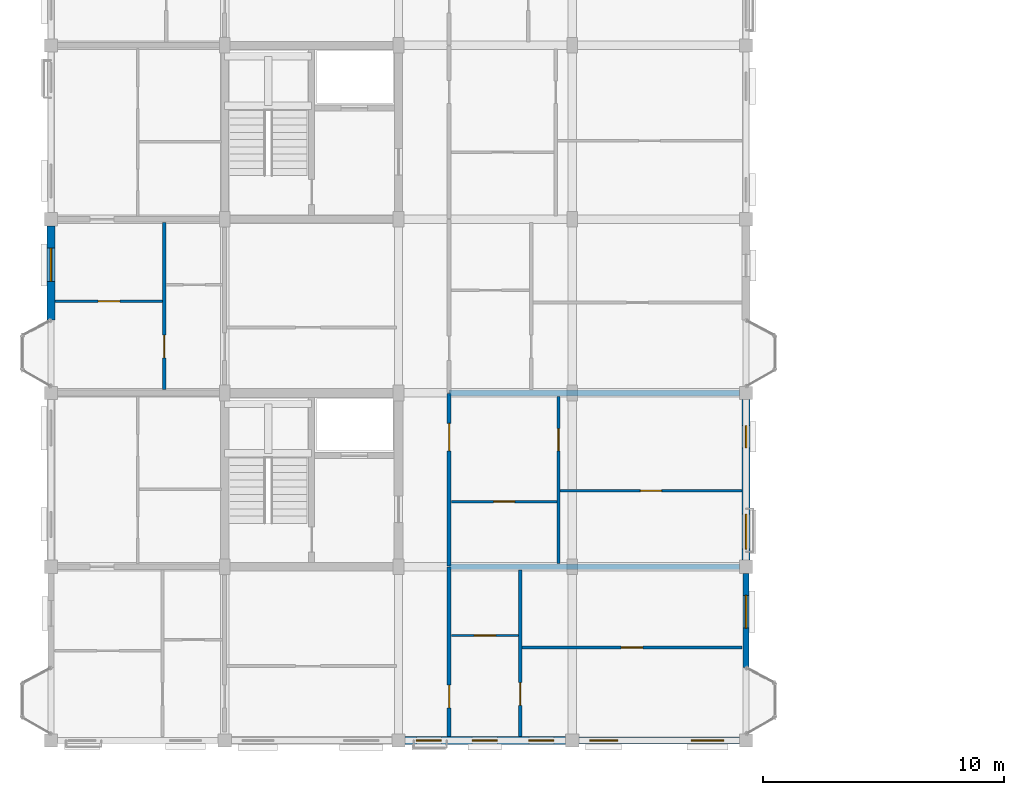
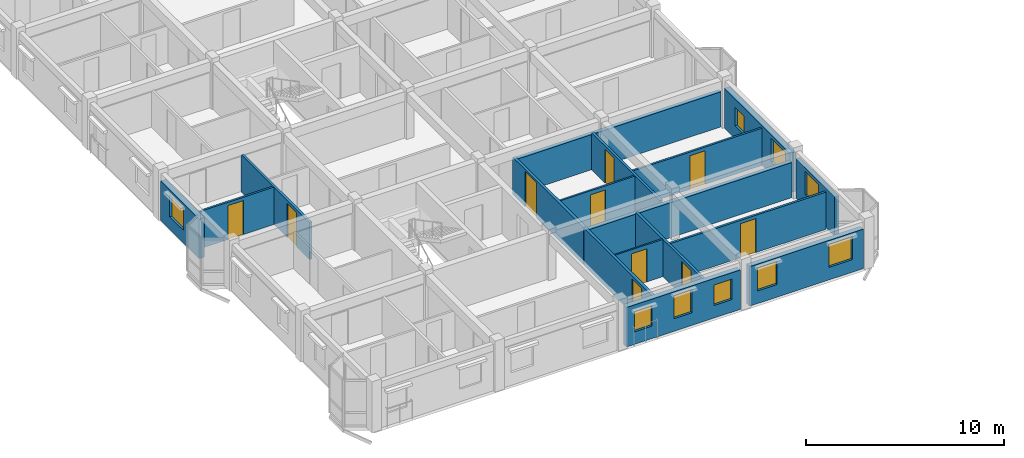
# One storey, part 46 of 75: 17 walls, 10 doors, 9 windows, 19 openings.
"""IFC4 building model written with IfcOpenShell, lengths in metres."""

from ifc_helpers import new_model, si_unit, direction, frame, frame_2d, origin, place, context, subcontext, project, spatial, rectangle, extrude, material, layer, layer_set, type_object, element, fill, save


model = new_model("IFC4")

# Units and contexts
model_context = context("Model", 3, precision=1e-05, world=origin(), true_north=direction((0.0, 1.0)))
body_context = subcontext(model_context, "Body", "Model", "MODEL_VIEW")
ifc_project = project(units=[si_unit("LENGTHUNIT", "METRE"), si_unit("AREAUNIT", "SQUARE_METRE"), si_unit("VOLUMEUNIT", "CUBIC_METRE"), si_unit("PLANEANGLEUNIT", "RADIAN"), si_unit("MASSUNIT", "GRAM", prefix="KILO"), si_unit("THERMODYNAMICTEMPERATUREUNIT", "KELVIN"), si_unit("POWERUNIT", "WATT")], contexts=[model_context])

# Site, building, storey
site_placement = place(None, origin())
site = spatial("IfcSite", under=ifc_project, at=site_placement, CompositionType="ELEMENT")
building_placement = place(site_placement, origin())
building = spatial("IfcBuilding", under=site, at=building_placement, Name="Tavuni Mirador Residences", CompositionType="ELEMENT")
storey_placement = place(building_placement, frame((0.0, 0.0, 20.25)))
storey = spatial("IfcBuildingStorey", under=building, at=storey_placement, Name="L06", CompositionType="ELEMENT", Elevation=20.25)

# Wall, opening, door
ifc_material_1 = material(Name="Precast concrete C40/50", Category="concrete")
ifc_layer_1 = layer(ifc_material_1, 0.1650390625, Name="Precast concrete C40/50", Category="concrete")
ifc_layer_set_1 = layer_set([ifc_layer_1], Name="Precast concrete C40/50")
wall_type_1 = type_object("IfcWallType", Name="WT-CORR165", PredefinedType="PARTITIONING", material=ifc_layer_set_1)
wall_1_placement = place(storey_placement, frame((20.10009765625, 7.375, 0.0), z_axis=(0.0, 0.0, 1.0), x_axis=(0.0, 1.0, 0.0)))
wall_1 = element("IfcWall", 1, at=wall_1_placement, inside=storey, type_object=wall_type_1, Name="CORW-BLK-A-L06-0-00", PredefinedType="PARTITIONING", context=body_context, shape_type="SweptSolid", body=[
    extrude(rectangle(XDim=7.0048828125, YDim=0.1650390625, at=frame_2d((3.50244140625, 0.0))), origin(), (0.0, 0.0, 1.0), 2.304931640625),
])
opening_1_placement = place(wall_1_placement, frame((1.175048828125, 0.0, 0.0)))
opening_1 = element("IfcOpeningElement", 2, at=opening_1_placement, cuts=wall_1, Name="Opening D-19", PredefinedType="OPENING", context=body_context, shape_type="SweptSolid", body=[
    extrude(rectangle(XDim=0.93994140625, YDim=2.1201171875, at=frame_2d((0.469970703125, 1.06005859375))), frame((0.0, 0.092529296875, 0.0), z_axis=(0.0, -1.0, 0.0), x_axis=(1.0, 0.0, 0.0)), (0.0, 0.0, 1.0), 0.18505859375),
])
ifc_material_2 = material(Name="Solid core iroko timber", Category="wood")
door_type_1 = type_object("IfcDoorType", Name="DT-FD60-940", OperationType="NOTDEFINED", PredefinedType="DOOR", material=ifc_material_2)
door_1_placement = place(opening_1_placement, origin())
door_1 = element("IfcDoor", 3, at=door_1_placement, inside=storey, type_object=door_type_1, Name="DR-2443", OperationType="SINGLE_SWING_RIGHT", OverallHeight=2.1201171875, OverallWidth=0.93994140625, PredefinedType="DOOR", context=body_context, shape_type="SweptSolid", body=[
    extrude(rectangle(XDim=0.93994140625, YDim=2.1201171875, at=frame_2d((0.469970703125, 1.06005859375))), frame((0.0, 0.02490234375, 0.0), z_axis=(0.0, -1.0, 0.0), x_axis=(1.0, 0.0, 0.0)), (0.0, 0.0, 1.0), 0.050048828125),
])
fill(opening_1, door_1)

wall_2_placement = place(storey_placement, frame((20.10009765625, 14.419921875, 0.0), z_axis=(0.0, 0.0, 1.0), x_axis=(0.0, 1.0, 0.0)))
wall_2 = element("IfcWall", 4, at=wall_2_placement, inside=storey, type_object=wall_type_1, Name="CORW-BLK-A-L06-0-01", PredefinedType="PARTITIONING", context=body_context, shape_type="SweptSolid", body=[
    extrude(rectangle(XDim=7.16015625, YDim=0.1650390625, at=frame_2d((3.580078125, 0.0))), origin(), (0.0, 0.0, 1.0), 2.304931640625),
])
opening_2_placement = place(wall_2_placement, frame((4.780029296875, 0.0, 0.0)))
opening_2 = element("IfcOpeningElement", 5, at=opening_2_placement, cuts=wall_2, Name="Opening D-20", PredefinedType="OPENING", context=body_context, shape_type="SweptSolid", body=[
    extrude(rectangle(XDim=1.139892578125, YDim=2.179931640625, at=frame_2d((0.56982421875, 1.08984375))), frame((0.0, 0.092529296875, 0.0), z_axis=(0.0, -1.0, 0.0), x_axis=(1.0, 0.0, 0.0)), (0.0, 0.0, 1.0), 0.18505859375),
])
door_type_2 = type_object("IfcDoorType", Name="DT-FD60-1140", OperationType="NOTDEFINED", PredefinedType="DOOR", material=ifc_material_2)
door_2_placement = place(opening_2_placement, origin())
door_2 = element("IfcDoor", 6, at=door_2_placement, inside=storey, type_object=door_type_2, Name="DR-2444", OperationType="SINGLE_SWING_LEFT", OverallHeight=2.179931640625, OverallWidth=1.139892578125, PredefinedType="DOOR", context=body_context, shape_type="SweptSolid", body=[
    extrude(rectangle(XDim=1.139892578125, YDim=2.179931640625, at=frame_2d((0.56982421875, 1.08984375))), frame((0.0, 0.02490234375, 0.0), z_axis=(0.0, -1.0, 0.0), x_axis=(1.0, 0.0, 0.0)), (0.0, 0.0, 1.0), 0.050048828125),
])
fill(opening_2, door_2)

# Wall, openings, windows
ifc_layer_2 = layer(ifc_material_1, 0.330078125, Name="Precast concrete C40/50", Category="concrete")
ifc_layer_set_2 = layer_set([ifc_layer_2], Name="Precast concrete C40/50")
wall_type_2 = type_object("IfcWallType", Name="WT-EXT-COR330", PredefinedType="SOLIDWALL", material=ifc_layer_set_2)
wall_3_placement = place(storey_placement, frame((32.39990234375, 14.675048828125, 0.0), z_axis=(0.0, 0.0, 1.0), x_axis=(0.0, 1.0, 0.0)))
wall_3 = element("IfcWall", 7, at=wall_3_placement, inside=storey, type_object=wall_type_2, Name="EW-BLK-A-L06-E01", PredefinedType="SOLIDWALL", context=body_context, shape_type="SweptSolid", body=[
    extrude(rectangle(XDim=6.64990234375, YDim=0.330078125, at=frame_2d((3.324951171875, 0.0))), origin(), (0.0, 0.0, 1.0), 2.43994140625),
])
opening_3_placement = place(wall_3_placement, frame((0.449951171875, 0.0, 0.780029296875)))
opening_3 = element("IfcOpeningElement", 8, at=opening_3_placement, cuts=wall_3, Name="Opening WN-30", PredefinedType="OPENING", context=body_context, shape_type="SweptSolid", body=[
    extrude(rectangle(XDim=1.449951171875, YDim=1.43994140625, at=frame_2d((0.72509765625, 0.719970703125))), frame((0.0, 0.175048828125, 0.0), z_axis=(0.0, -1.0, 0.0), x_axis=(1.0, 0.0, 0.0)), (0.0, 0.0, 1.0), 0.35009765625),
])
opening_4_placement = place(wall_3_placement, frame((4.64990234375, 0.0, 0.780029296875)))
opening_4 = element("IfcOpeningElement", 9, at=opening_4_placement, cuts=wall_3, Name="Opening WN-02", PredefinedType="OPENING", context=body_context, shape_type="SweptSolid", body=[
    extrude(rectangle(XDim=0.919921875, YDim=1.14990234375, at=frame_2d((0.4599609375, 0.574951171875))), frame((0.0, 0.175048828125, 0.0), z_axis=(0.0, -1.0, 0.0), x_axis=(1.0, 0.0, 0.0)), (0.0, 0.0, 1.0), 0.35009765625),
])
ifc_material_3 = material(Name="Laminated solar-control glass", Category="glass")
window_type_1 = type_object("IfcWindowType", Name="WNT-02", PartitioningType="SINGLE_PANEL", PredefinedType="WINDOW", material=ifc_material_3)
window_1_placement = place(opening_4_placement, origin())
window_1 = element("IfcWindow", 10, at=window_1_placement, inside=storey, type_object=window_type_1, Name="WIN-0234", OverallHeight=1.14990234375, OverallWidth=0.919921875, PartitioningType="SINGLE_PANEL", PredefinedType="WINDOW", context=body_context, shape_type="SweptSolid", body=[
    extrude(rectangle(XDim=0.919921875, YDim=1.14990234375, at=frame_2d((0.4599609375, 0.574951171875))), frame((0.0, 0.030029296875, 0.0), z_axis=(0.0, -1.0, 0.0), x_axis=(1.0, 0.0, 0.0)), (0.0, 0.0, 1.0), 0.06005859375),
])
fill(opening_4, window_1)
window_type_2 = type_object("IfcWindowType", Name="WNT-30", PartitioningType="SINGLE_PANEL", PredefinedType="WINDOW", material=ifc_material_3)
window_2_placement = place(opening_3_placement, origin())
window_2 = element("IfcWindow", 11, at=window_2_placement, inside=storey, type_object=window_type_2, Name="WIN-0233", OverallHeight=1.43994140625, OverallWidth=1.449951171875, PartitioningType="SINGLE_PANEL", PredefinedType="WINDOW", context=body_context, shape_type="SweptSolid", body=[
    extrude(rectangle(XDim=1.449951171875, YDim=1.43994140625, at=frame_2d((0.72509765625, 0.719970703125))), frame((0.0, 0.030029296875, 0.0), z_axis=(0.0, -1.0, 0.0), x_axis=(1.0, 0.0, 0.0)), (0.0, 0.0, 1.0), 0.06005859375),
])
fill(opening_3, window_2)

# Wall, opening, window
ifc_material_4 = material(Name="Sgraffito lime-rendered precast concrete C40/50", Category="concrete")
ifc_layer_3 = layer(ifc_material_4, 0.2451171875, Name="Sgraffito lime-rendered precast concrete C40/50", Category="concrete")
ifc_layer_set_3 = layer_set([ifc_layer_3], Name="Sgraffito lime-rendered precast concrete C40/50")
wall_type_3 = type_object("IfcWallType", Name="WT-EXT-PC245", PredefinedType="SOLIDWALL", material=ifc_layer_set_3)
wall_4_placement = place(storey_placement, frame((32.39990234375, 10.219970703125, 0.0), z_axis=(0.0, 0.0, 1.0), x_axis=(0.0, 1.0, 0.0)))
wall_4 = element("IfcWall", 12, at=wall_4_placement, inside=storey, type_object=wall_type_3, Name="EW-BLK-A-L06-E00", PredefinedType="SOLIDWALL", context=body_context, shape_type="SweptSolid", body=[
    extrude(rectangle(XDim=3.905029296875, YDim=0.2451171875, at=frame_2d((1.95263671875, 0.0))), origin(), (0.0, 0.0, 1.0), 2.43994140625),
])
opening_5_placement = place(wall_4_placement, frame((1.637451171875, 0.0, 0.780029296875)))
opening_5 = element("IfcOpeningElement", 13, at=opening_5_placement, cuts=wall_4, Name="Opening WN-29", PredefinedType="OPENING", context=body_context, shape_type="SweptSolid", body=[
    extrude(rectangle(XDim=1.35009765625, YDim=1.43994140625, at=frame_2d((0.675048828125, 0.719970703125))), frame((0.0, 0.132568359375, 0.0), z_axis=(0.0, -1.0, 0.0), x_axis=(1.0, 0.0, 0.0)), (0.0, 0.0, 1.0), 0.26513671875),
])
window_type_3 = type_object("IfcWindowType", Name="WNT-29", PartitioningType="SINGLE_PANEL", PredefinedType="WINDOW", material=ifc_material_3)
window_3_placement = place(opening_5_placement, origin())
window_3 = element("IfcWindow", 14, at=window_3_placement, inside=storey, type_object=window_type_3, Name="WIN-0232", OverallHeight=1.43994140625, OverallWidth=1.35009765625, PartitioningType="SINGLE_PANEL", PredefinedType="WINDOW", context=body_context, shape_type="SweptSolid", body=[
    extrude(rectangle(XDim=1.35009765625, YDim=1.43994140625, at=frame_2d((0.675048828125, 0.719970703125))), frame((0.0, 0.030029296875, 0.0), z_axis=(0.0, -1.0, 0.0), x_axis=(1.0, 0.0, 0.0)), (0.0, 0.0, 1.0), 0.06005859375),
])
fill(opening_5, window_3)

# Wall, openings, windows
ifc_layer_4 = layer(ifc_material_4, 0.304931640625, Name="Sgraffito lime-rendered precast concrete C40/50", Category="concrete")
ifc_layer_set_4 = layer_set([ifc_layer_4], Name="Sgraffito lime-rendered precast concrete C40/50")
wall_type_4 = type_object("IfcWallType", Name="WT-EXT-PC305", PredefinedType="SOLIDWALL", material=ifc_layer_set_4)
wall_5_placement = place(storey_placement, frame((25.47509765625, 7.199951171875, 0.0), z_axis=(0.0, 0.0, 1.0), x_axis=(1.0, 0.0, 0.0)))
wall_5 = element("IfcWall", 15, at=wall_5_placement, inside=storey, type_object=wall_type_4, Name="EW-BLK-A-L06-S03", PredefinedType="SOLIDWALL", context=body_context, shape_type="SweptSolid", body=[
    extrude(rectangle(XDim=6.64990234375, YDim=0.304931640625, at=frame_2d((3.324951171875, 0.0))), origin(), (0.0, 0.0, 1.0), 2.43994140625),
])
opening_6_placement = place(wall_5_placement, frame((0.449951171875, 0.0, 0.780029296875)))
opening_6 = element("IfcOpeningElement", 16, at=opening_6_placement, cuts=wall_5, Name="Opening WN-27", PredefinedType="OPENING", context=body_context, shape_type="SweptSolid", body=[
    extrude(rectangle(XDim=1.14990234375, YDim=1.43994140625, at=frame_2d((0.574951171875, 0.719970703125))), frame((0.0, 0.16259765625, 0.0), z_axis=(0.0, -1.0, 0.0), x_axis=(1.0, 0.0, 0.0)), (0.0, 0.0, 1.0), 0.324951171875),
])
opening_7_placement = place(wall_5_placement, frame((4.64990234375, 0.0, 0.780029296875)))
opening_7 = element("IfcOpeningElement", 17, at=opening_7_placement, cuts=wall_5, Name="Opening WN-29", PredefinedType="OPENING", context=body_context, shape_type="SweptSolid", body=[
    extrude(rectangle(XDim=1.35009765625, YDim=1.43994140625, at=frame_2d((0.675048828125, 0.719970703125))), frame((0.0, 0.16259765625, 0.0), z_axis=(0.0, -1.0, 0.0), x_axis=(1.0, 0.0, 0.0)), (0.0, 0.0, 1.0), 0.324951171875),
])
window_type_4 = type_object("IfcWindowType", Name="WNT-27", PartitioningType="SINGLE_PANEL", PredefinedType="WINDOW", material=ifc_material_3)
window_4_placement = place(opening_6_placement, origin())
window_4 = element("IfcWindow", 18, at=window_4_placement, inside=storey, type_object=window_type_4, Name="WIN-0230", OverallHeight=1.43994140625, OverallWidth=1.14990234375, PartitioningType="SINGLE_PANEL", PredefinedType="WINDOW", context=body_context, shape_type="SweptSolid", body=[
    extrude(rectangle(XDim=1.14990234375, YDim=1.43994140625, at=frame_2d((0.574951171875, 0.719970703125))), frame((0.0, 0.030029296875, 0.0), z_axis=(0.0, -1.0, 0.0), x_axis=(1.0, 0.0, 0.0)), (0.0, 0.0, 1.0), 0.06005859375),
])
fill(opening_6, window_4)
window_5_placement = place(opening_7_placement, origin())
window_5 = element("IfcWindow", 19, at=window_5_placement, inside=storey, type_object=window_type_3, Name="WIN-0231", OverallHeight=1.43994140625, OverallWidth=1.35009765625, PartitioningType="SINGLE_PANEL", PredefinedType="WINDOW", context=body_context, shape_type="SweptSolid", body=[
    extrude(rectangle(XDim=1.35009765625, YDim=1.43994140625, at=frame_2d((0.675048828125, 0.719970703125))), frame((0.0, 0.030029296875, 0.0), z_axis=(0.0, -1.0, 0.0), x_axis=(1.0, 0.0, 0.0)), (0.0, 0.0, 1.0), 0.06005859375),
])
fill(opening_7, window_5)

ifc_layer_5 = layer(ifc_material_4, 0.31494140625, Name="Sgraffito lime-rendered precast concrete C40/50", Category="concrete")
ifc_layer_set_5 = layer_set([ifc_layer_5], Name="Sgraffito lime-rendered precast concrete C40/50")
wall_type_5 = type_object("IfcWallType", Name="WT-EXT-PC315", PredefinedType="SOLIDWALL", material=ifc_layer_set_5)
wall_6_placement = place(storey_placement, frame((18.27490234375, 7.199951171875, 0.0), z_axis=(0.0, 0.0, 1.0), x_axis=(1.0, 0.0, 0.0)))
wall_6 = element("IfcWall", 20, at=wall_6_placement, inside=storey, type_object=wall_type_5, Name="EW-BLK-A-L06-S02", PredefinedType="SOLIDWALL", context=body_context, shape_type="SweptSolid", body=[
    extrude(rectangle(XDim=6.650146484375, YDim=0.31494140625, at=frame_2d((3.3251953125, 0.0))), origin(), (0.0, 0.0, 1.0), 2.43994140625),
])
opening_8_placement = place(wall_6_placement, frame((0.46240234375, 0.0, 0.780029296875)))
opening_8 = element("IfcOpeningElement", 21, at=opening_8_placement, cuts=wall_6, Name="Opening WN-11", PredefinedType="OPENING", context=body_context, shape_type="SweptSolid", body=[
    extrude(rectangle(XDim=1.0400390625, YDim=1.260009765625, at=frame_2d((0.52001953125, 0.6298828125))), frame((0.0, 0.16748046875, 0.0), z_axis=(0.0, -1.0, 0.0), x_axis=(1.0, 0.0, 0.0)), (0.0, 0.0, 1.0), 0.3349609375),
])
opening_9_placement = place(wall_6_placement, frame((2.77490234375, 0.0, 0.780029296875)))
opening_9 = element("IfcOpeningElement", 22, at=opening_9_placement, cuts=wall_6, Name="Opening WN-26", PredefinedType="OPENING", context=body_context, shape_type="SweptSolid", body=[
    extrude(rectangle(XDim=1.050048828125, YDim=1.43994140625, at=frame_2d((0.52490234375, 0.719970703125))), frame((0.0, 0.16748046875, 0.0), z_axis=(0.0, -1.0, 0.0), x_axis=(1.0, 0.0, 0.0)), (0.0, 0.0, 1.0), 0.3349609375),
])
opening_10_placement = place(wall_6_placement, frame((5.12255859375, 0.0, 0.780029296875)))
opening_10 = element("IfcOpeningElement", 23, at=opening_10_placement, cuts=wall_6, Name="Opening WN-11", PredefinedType="OPENING", context=body_context, shape_type="SweptSolid", body=[
    extrude(rectangle(XDim=1.0400390625, YDim=1.260009765625, at=frame_2d((0.52001953125, 0.6298828125))), frame((0.0, 0.16748046875, 0.0), z_axis=(0.0, -1.0, 0.0), x_axis=(1.0, 0.0, 0.0)), (0.0, 0.0, 1.0), 0.3349609375),
])
window_type_5 = type_object("IfcWindowType", Name="WNT-11", PartitioningType="SINGLE_PANEL", PredefinedType="WINDOW", material=ifc_material_3)
window_6_placement = place(opening_8_placement, origin())
window_6 = element("IfcWindow", 24, at=window_6_placement, inside=storey, type_object=window_type_5, Name="WIN-0227", OverallHeight=1.260009765625, OverallWidth=1.0400390625, PartitioningType="SINGLE_PANEL", PredefinedType="WINDOW", context=body_context, shape_type="SweptSolid", body=[
    extrude(rectangle(XDim=1.0400390625, YDim=1.260009765625, at=frame_2d((0.52001953125, 0.6298828125))), frame((0.0, 0.030029296875, 0.0), z_axis=(0.0, -1.0, 0.0), x_axis=(1.0, 0.0, 0.0)), (0.0, 0.0, 1.0), 0.06005859375),
])
fill(opening_8, window_6)
window_7_placement = place(opening_10_placement, origin())
window_7 = element("IfcWindow", 25, at=window_7_placement, inside=storey, type_object=window_type_5, Name="WIN-0229", OverallHeight=1.260009765625, OverallWidth=1.0400390625, PartitioningType="SINGLE_PANEL", PredefinedType="WINDOW", context=body_context, shape_type="SweptSolid", body=[
    extrude(rectangle(XDim=1.0400390625, YDim=1.260009765625, at=frame_2d((0.52001953125, 0.6298828125))), frame((0.0, 0.030029296875, 0.0), z_axis=(0.0, -1.0, 0.0), x_axis=(1.0, 0.0, 0.0)), (0.0, 0.0, 1.0), 0.06005859375),
])
fill(opening_10, window_7)
window_type_6 = type_object("IfcWindowType", Name="WNT-26", PartitioningType="SINGLE_PANEL", PredefinedType="WINDOW", material=ifc_material_3)
window_8_placement = place(opening_9_placement, origin())
window_8 = element("IfcWindow", 26, at=window_8_placement, inside=storey, type_object=window_type_6, Name="WIN-0228", OverallHeight=1.43994140625, OverallWidth=1.050048828125, PartitioningType="SINGLE_PANEL", PredefinedType="WINDOW", context=body_context, shape_type="SweptSolid", body=[
    extrude(rectangle(XDim=1.050048828125, YDim=1.43994140625, at=frame_2d((0.52490234375, 0.719970703125))), frame((0.0, 0.030029296875, 0.0), z_axis=(0.0, -1.0, 0.0), x_axis=(1.0, 0.0, 0.0)), (0.0, 0.0, 1.0), 0.06005859375),
])
fill(opening_9, window_8)

# Wall, opening, window
wall_7_placement = place(storey_placement, frame((3.60009765625, 28.52490234375, 0.0), z_axis=(0.0, 0.0, 1.0), x_axis=(0.0, -1.0, 0.0)))
wall_7 = element("IfcWall", 27, at=wall_7_placement, inside=storey, type_object=wall_type_5, Name="EW-BLK-A-L06-W02", PredefinedType="SOLIDWALL", context=body_context, shape_type="SweptSolid", body=[
    extrude(rectangle(XDim=3.90478515625, YDim=0.31494140625, at=frame_2d((1.952392578125, 0.0))), origin(), (0.0, 0.0, 1.0), 2.43994140625),
])
opening_11_placement = place(wall_7_placement, frame((0.927490234375, 0.0, 0.780029296875)))
opening_11 = element("IfcOpeningElement", 28, at=opening_11_placement, cuts=wall_7, Name="Opening WN-23", PredefinedType="OPENING", context=body_context, shape_type="SweptSolid", body=[
    extrude(rectangle(XDim=1.3798828125, YDim=1.360107421875, at=frame_2d((0.68994140625, 0.68017578125))), frame((0.0, 0.16748046875, 0.0), z_axis=(0.0, -1.0, 0.0), x_axis=(1.0, 0.0, 0.0)), (0.0, 0.0, 1.0), 0.3349609375),
])
window_type_7 = type_object("IfcWindowType", Name="WNT-23", PartitioningType="SINGLE_PANEL", PredefinedType="WINDOW", material=ifc_material_3)
window_9_placement = place(opening_11_placement, origin())
window_9 = element("IfcWindow", 29, at=window_9_placement, inside=storey, type_object=window_type_7, Name="WIN-0256", OverallHeight=1.360107421875, OverallWidth=1.3798828125, PartitioningType="SINGLE_PANEL", PredefinedType="WINDOW", context=body_context, shape_type="SweptSolid", body=[
    extrude(rectangle(XDim=1.3798828125, YDim=1.360107421875, at=frame_2d((0.68994140625, 0.68017578125))), frame((0.0, 0.030029296875, 0.0), z_axis=(0.0, -1.0, 0.0), x_axis=(1.0, 0.0, 0.0)), (0.0, 0.0, 1.0), 0.06005859375),
])
fill(opening_11, window_9)

# Wall, opening, door
ifc_material_5 = material(Name="Acoustic gypsum and concrete block partition", Category="concrete")
ifc_layer_6 = layer(ifc_material_5, 0.094970703125, Name="Acoustic gypsum and concrete block partition", Category="concrete")
ifc_layer_set_6 = layer_set([ifc_layer_6], Name="Acoustic gypsum and concrete block partition")
wall_type_6 = type_object("IfcWallType", Name="WT-PART095", PredefinedType="PARTITIONING", material=ifc_layer_set_6)
wall_8_placement = place(storey_placement, frame((20.18994140625, 11.550048828125, 0.0), z_axis=(0.0, 0.0, 1.0), x_axis=(1.0, 0.0, 0.0)))
wall_8 = element("IfcWall", 30, at=wall_8_placement, inside=storey, type_object=wall_type_6, Name="PW-BLK-A-L06-E00-IN1", PredefinedType="PARTITIONING", context=body_context, shape_type="SweptSolid", body=[
    extrude(rectangle(XDim=2.7900390625, YDim=0.094970703125, at=frame_2d((1.39501953125, 0.0))), origin(), (0.0, 0.0, 1.0), 2.304931640625),
])
opening_12_placement = place(wall_8_placement, frame((0.945068359375, 0.0, 0.0)))
opening_12 = element("IfcOpeningElement", 31, at=opening_12_placement, cuts=wall_8, Name="Opening D-09", PredefinedType="OPENING", context=body_context, shape_type="SweptSolid", body=[
    extrude(rectangle(XDim=0.89990234375, YDim=2.050048828125, at=frame_2d((0.449951171875, 1.02490234375))), frame((0.0, 0.0576171875, 0.0), z_axis=(0.0, -1.0, 0.0), x_axis=(1.0, 0.0, 0.0)), (0.0, 0.0, 1.0), 0.114990234375),
])
door_type_3 = type_object("IfcDoorType", Name="DT-WC900", OperationType="NOTDEFINED", PredefinedType="DOOR", material=ifc_material_2)
door_3_placement = place(opening_12_placement, origin())
door_3 = element("IfcDoor", 32, at=door_3_placement, inside=storey, type_object=door_type_3, Name="DR-3139", OperationType="SINGLE_SWING_RIGHT", OverallHeight=2.050048828125, OverallWidth=0.89990234375, PredefinedType="DOOR", context=body_context, shape_type="SweptSolid", body=[
    extrude(rectangle(XDim=0.89990234375, YDim=2.050048828125, at=frame_2d((0.449951171875, 1.02490234375))), frame((0.0, 0.02490234375, 0.0), z_axis=(0.0, -1.0, 0.0), x_axis=(1.0, 0.0, 0.0)), (0.0, 0.0, 1.0), 0.050048828125),
])
fill(opening_12, door_3)

ifc_layer_7 = layer(ifc_material_5, 0.10498046875, Name="Acoustic gypsum and concrete block partition", Category="concrete")
ifc_layer_set_7 = layer_set([ifc_layer_7], Name="Acoustic gypsum and concrete block partition")
wall_type_7 = type_object("IfcWallType", Name="WT-PART105", PredefinedType="PARTITIONING", material=ifc_layer_set_7)
wall_9_placement = place(storey_placement, frame((20.18994140625, 17.10009765625, 0.0), z_axis=(0.0, 0.0, 1.0), x_axis=(1.0, 0.0, 0.0)))
wall_9 = element("IfcWall", 33, at=wall_9_placement, inside=storey, type_object=wall_type_7, Name="PW-BLK-A-L06-E01-IN1", PredefinedType="PARTITIONING", context=body_context, shape_type="SweptSolid", body=[
    extrude(rectangle(XDim=4.3701171875, YDim=0.10498046875, at=frame_2d((2.18505859375, 0.0))), origin(), (0.0, 0.0, 1.0), 2.304931640625),
])
opening_13_placement = place(wall_9_placement, frame((1.75, 0.0, 0.0)))
opening_13 = element("IfcOpeningElement", 34, at=opening_13_placement, cuts=wall_9, Name="Opening D-10", PredefinedType="OPENING", context=body_context, shape_type="SweptSolid", body=[
    extrude(rectangle(XDim=0.8701171875, YDim=2.050048828125, at=frame_2d((0.43505859375, 1.02490234375))), frame((0.0, 0.0625, 0.0), z_axis=(0.0, -1.0, 0.0), x_axis=(1.0, 0.0, 0.0)), (0.0, 0.0, 1.0), 0.125),
])
door_type_4 = type_object("IfcDoorType", Name="DT-WC870", OperationType="NOTDEFINED", PredefinedType="DOOR", material=ifc_material_2)
door_4_placement = place(opening_13_placement, origin())
door_4 = element("IfcDoor", 35, at=door_4_placement, inside=storey, type_object=door_type_4, Name="DR-3144", OperationType="SINGLE_SWING_LEFT", OverallHeight=2.050048828125, OverallWidth=0.8701171875, PredefinedType="DOOR", context=body_context, shape_type="SweptSolid", body=[
    extrude(rectangle(XDim=0.8701171875, YDim=2.050048828125, at=frame_2d((0.43505859375, 1.02490234375))), frame((0.0, 0.02490234375, 0.0), z_axis=(0.0, -1.0, 0.0), x_axis=(1.0, 0.0, 0.0)), (0.0, 0.0, 1.0), 0.050048828125),
])
fill(opening_13, door_4)

ifc_layer_8 = layer(ifc_material_5, 0.114990234375, Name="Acoustic gypsum and concrete block partition", Category="concrete")
ifc_layer_set_8 = layer_set([ifc_layer_8], Name="Acoustic gypsum and concrete block partition")
wall_type_8 = type_object("IfcWallType", Name="WT-PART115", PredefinedType="PARTITIONING", material=ifc_layer_set_8)
wall_10_placement = place(storey_placement, frame((24.699951171875, 17.550048828125, 0.0), z_axis=(0.0, 0.0, 1.0), x_axis=(1.0, 0.0, 0.0)))
wall_10 = element("IfcWall", 36, at=wall_10_placement, inside=storey, type_object=wall_type_8, Name="PW-BLK-A-L06-E01-OUT", PredefinedType="PARTITIONING", context=body_context, shape_type="SweptSolid", body=[
    extrude(rectangle(XDim=7.525146484375, YDim=0.114990234375, at=frame_2d((3.7626953125, 0.0))), origin(), (0.0, 0.0, 1.0), 2.304931640625),
])
opening_14_placement = place(wall_10_placement, frame((3.322509765625, 0.0, 0.0)))
opening_14 = element("IfcOpeningElement", 37, at=opening_14_placement, cuts=wall_10, Name="Opening D-08", PredefinedType="OPENING", context=body_context, shape_type="SweptSolid", body=[
    extrude(rectangle(XDim=0.8798828125, YDim=2.080078125, at=frame_2d((0.43994140625, 1.0400390625))), frame((0.0, 0.0673828125, 0.0), z_axis=(0.0, -1.0, 0.0), x_axis=(1.0, 0.0, 0.0)), (0.0, 0.0, 1.0), 0.135009765625),
])
door_type_5 = type_object("IfcDoorType", Name="DT-BED880", OperationType="NOTDEFINED", PredefinedType="DOOR", material=ifc_material_2)
door_5_placement = place(opening_14_placement, origin())
door_5 = element("IfcDoor", 38, at=door_5_placement, inside=storey, type_object=door_type_5, Name="DR-3143", OperationType="SINGLE_SWING_RIGHT", OverallHeight=2.080078125, OverallWidth=0.8798828125, PredefinedType="DOOR", context=body_context, shape_type="SweptSolid", body=[
    extrude(rectangle(XDim=0.8798828125, YDim=2.080078125, at=frame_2d((0.43994140625, 1.0400390625))), frame((0.0, 0.02490234375, 0.0), z_axis=(0.0, -1.0, 0.0), x_axis=(1.0, 0.0, 0.0)), (0.0, 0.0, 1.0), 0.050048828125),
])
fill(opening_14, door_5)

wall_11_placement = place(storey_placement, frame((3.77490234375, 25.39990234375, 0.0), z_axis=(0.0, 0.0, 1.0), x_axis=(1.0, 0.0, 0.0)))
wall_11 = element("IfcWall", 39, at=wall_11_placement, inside=storey, type_object=wall_type_8, Name="PW-BLK-A-L06-W02-OUT", PredefinedType="PARTITIONING", context=body_context, shape_type="SweptSolid", body=[
    extrude(rectangle(XDim=4.455078125, YDim=0.114990234375, at=frame_2d((2.2275390625, 0.0))), origin(), (0.0, 0.0, 1.0), 2.304931640625),
])
opening_15_placement = place(wall_11_placement, frame((1.777587890625, 0.0, 0.0)))
opening_15 = element("IfcOpeningElement", 40, at=opening_15_placement, cuts=wall_11, Name="Opening D-07", PredefinedType="OPENING", context=body_context, shape_type="SweptSolid", body=[
    extrude(rectangle(XDim=0.89990234375, YDim=2.10009765625, at=frame_2d((0.449951171875, 1.050048828125))), frame((0.0, 0.0673828125, 0.0), z_axis=(0.0, -1.0, 0.0), x_axis=(1.0, 0.0, 0.0)), (0.0, 0.0, 1.0), 0.135009765625),
])
door_type_6 = type_object("IfcDoorType", Name="DT-BED900", OperationType="NOTDEFINED", PredefinedType="DOOR", material=ifc_material_2)
door_6_placement = place(opening_15_placement, origin())
door_6 = element("IfcDoor", 41, at=door_6_placement, inside=storey, type_object=door_type_6, Name="DR-3147", OperationType="SINGLE_SWING_LEFT", OverallHeight=2.10009765625, OverallWidth=0.89990234375, PredefinedType="DOOR", context=body_context, shape_type="SweptSolid", body=[
    extrude(rectangle(XDim=0.89990234375, YDim=2.10009765625, at=frame_2d((0.449951171875, 1.050048828125))), frame((0.0, 0.02490234375, 0.0), z_axis=(0.0, -1.0, 0.0), x_axis=(1.0, 0.0, 0.0)), (0.0, 0.0, 1.0), 0.050048828125),
])
fill(opening_15, door_6)

ifc_layer_9 = layer(ifc_material_5, 0.125, Name="Acoustic gypsum and concrete block partition", Category="concrete")
ifc_layer_set_9 = layer_set([ifc_layer_9], Name="Acoustic gypsum and concrete block partition")
wall_type_9 = type_object("IfcWallType", Name="WT-PART125", PredefinedType="PARTITIONING", material=ifc_layer_set_9)
wall_12_placement = place(storey_placement, frame((23.1201171875, 11.050048828125, 0.0), z_axis=(0.0, 0.0, 1.0), x_axis=(1.0, 0.0, 0.0)))
wall_12 = element("IfcWall", 42, at=wall_12_placement, inside=storey, type_object=wall_type_9, Name="PW-BLK-A-L06-E00-OUT", PredefinedType="PARTITIONING", context=body_context, shape_type="SweptSolid", body=[
    extrude(rectangle(XDim=9.10498046875, YDim=0.125, at=frame_2d((4.552490234375, 0.0))), origin(), (0.0, 0.0, 1.0), 2.304931640625),
])
opening_16_placement = place(wall_12_placement, frame((4.1025390625, 0.0, 0.0)))
opening_16 = element("IfcOpeningElement", 43, at=opening_16_placement, cuts=wall_12, Name="Opening D-07", PredefinedType="OPENING", context=body_context, shape_type="SweptSolid", body=[
    extrude(rectangle(XDim=0.89990234375, YDim=2.10009765625, at=frame_2d((0.449951171875, 1.050048828125))), frame((0.0, 0.072509765625, 0.0), z_axis=(0.0, -1.0, 0.0), x_axis=(1.0, 0.0, 0.0)), (0.0, 0.0, 1.0), 0.14501953125),
])
door_7_placement = place(opening_16_placement, origin())
door_7 = element("IfcDoor", 44, at=door_7_placement, inside=storey, type_object=door_type_6, Name="DR-3138", OperationType="SINGLE_SWING_LEFT", OverallHeight=2.10009765625, OverallWidth=0.89990234375, PredefinedType="DOOR", context=body_context, shape_type="SweptSolid", body=[
    extrude(rectangle(XDim=0.89990234375, YDim=2.10009765625, at=frame_2d((0.449951171875, 1.050048828125))), frame((0.0, 0.02490234375, 0.0), z_axis=(0.0, -1.0, 0.0), x_axis=(1.0, 0.0, 0.0)), (0.0, 0.0, 1.0), 0.050048828125),
])
fill(opening_16, door_7)

ifc_layer_10 = layer(ifc_material_5, 0.139892578125, Name="Acoustic gypsum and concrete block partition", Category="concrete")
ifc_layer_set_10 = layer_set([ifc_layer_10], Name="Acoustic gypsum and concrete block partition")
wall_type_10 = type_object("IfcWallType", Name="WT-PART140", PredefinedType="PARTITIONING", material=ifc_layer_set_10)
wall_13_placement = place(storey_placement, frame((24.6298828125, 14.5400390625, 0.0), z_axis=(0.0, 0.0, 1.0), x_axis=(0.0, 1.0, 0.0)))
wall_13 = element("IfcWall", 45, at=wall_13_placement, inside=storey, type_object=wall_type_10, Name="PW-BLK-A-L06-E01-MID", PredefinedType="PARTITIONING", context=body_context, shape_type="SweptSolid", body=[
    extrude(rectangle(XDim=6.919921875, YDim=0.139892578125, at=frame_2d((3.4599609375, 0.0))), origin(), (0.0, 0.0, 1.0), 2.304931640625),
])
opening_17_placement = place(wall_13_placement, frame((4.659912109375, 0.0, 0.0)))
opening_17 = element("IfcOpeningElement", 46, at=opening_17_placement, cuts=wall_13, Name="Opening D-06", PredefinedType="OPENING", context=body_context, shape_type="SweptSolid", body=[
    extrude(rectangle(XDim=0.919921875, YDim=2.10009765625, at=frame_2d((0.4599609375, 1.050048828125))), frame((0.0, 0.080078125, 0.0), z_axis=(0.0, -1.0, 0.0), x_axis=(1.0, 0.0, 0.0)), (0.0, 0.0, 1.0), 0.159912109375),
])
door_type_7 = type_object("IfcDoorType", Name="DT-INT920", OperationType="NOTDEFINED", PredefinedType="DOOR", material=ifc_material_2)
door_8_placement = place(opening_17_placement, origin())
door_8 = element("IfcDoor", 47, at=door_8_placement, inside=storey, type_object=door_type_7, Name="DR-3145", OperationType="SINGLE_SWING_RIGHT", OverallHeight=2.10009765625, OverallWidth=0.919921875, PredefinedType="DOOR", context=body_context, shape_type="SweptSolid", body=[
    extrude(rectangle(XDim=0.919921875, YDim=2.10009765625, at=frame_2d((0.4599609375, 1.050048828125))), frame((0.0, 0.02490234375, 0.0), z_axis=(0.0, -1.0, 0.0), x_axis=(1.0, 0.0, 0.0)), (0.0, 0.0, 1.0), 0.050048828125),
])
fill(opening_17, door_8)

wall_14_placement = place(storey_placement, frame((8.300048828125, 21.739990234375, 0.0), z_axis=(0.0, 0.0, 1.0), x_axis=(0.0, 1.0, 0.0)))
wall_14 = element("IfcWall", 48, at=wall_14_placement, inside=storey, type_object=wall_type_10, Name="PW-BLK-A-L06-W02-MID", PredefinedType="PARTITIONING", context=body_context, shape_type="SweptSolid", body=[
    extrude(rectangle(XDim=6.919921875, YDim=0.139892578125, at=frame_2d((3.4599609375, 0.0))), origin(), (0.0, 0.0, 1.0), 2.304931640625),
])
opening_18_placement = place(wall_14_placement, frame((1.31005859375, 0.0, 0.0)))
opening_18 = element("IfcOpeningElement", 49, at=opening_18_placement, cuts=wall_14, Name="Opening D-05", PredefinedType="OPENING", context=body_context, shape_type="SweptSolid", body=[
    extrude(rectangle(XDim=0.949951171875, YDim=2.10009765625, at=frame_2d((0.47509765625, 1.050048828125))), frame((0.0, 0.080078125, 0.0), z_axis=(0.0, -1.0, 0.0), x_axis=(1.0, 0.0, 0.0)), (0.0, 0.0, 1.0), 0.159912109375),
])
door_type_8 = type_object("IfcDoorType", Name="DT-INT950", OperationType="NOTDEFINED", PredefinedType="DOOR", material=ifc_material_2)
door_9_placement = place(opening_18_placement, origin())
door_9 = element("IfcDoor", 50, at=door_9_placement, inside=storey, type_object=door_type_8, Name="DR-3149", OperationType="SINGLE_SWING_LEFT", OverallHeight=2.10009765625, OverallWidth=0.949951171875, PredefinedType="DOOR", context=body_context, shape_type="SweptSolid", body=[
    extrude(rectangle(XDim=0.949951171875, YDim=2.10009765625, at=frame_2d((0.47509765625, 1.050048828125))), frame((0.0, 0.02490234375, 0.0), z_axis=(0.0, -1.0, 0.0), x_axis=(1.0, 0.0, 0.0)), (0.0, 0.0, 1.0), 0.050048828125),
])
fill(opening_18, door_9)

ifc_layer_11 = layer(ifc_material_5, 0.14990234375, Name="Acoustic gypsum and concrete block partition", Category="concrete")
ifc_layer_set_11 = layer_set([ifc_layer_11], Name="Acoustic gypsum and concrete block partition")
wall_type_11 = type_object("IfcWallType", Name="WT-PART150", PredefinedType="PARTITIONING", material=ifc_layer_set_11)
wall_15_placement = place(storey_placement, frame((23.050048828125, 7.375, 0.0), z_axis=(0.0, 0.0, 1.0), x_axis=(0.0, 1.0, 0.0)))
wall_15 = element("IfcWall", 51, at=wall_15_placement, inside=storey, type_object=wall_type_11, Name="PW-BLK-A-L06-E00-MID", PredefinedType="PARTITIONING", context=body_context, shape_type="SweptSolid", body=[
    extrude(rectangle(XDim=6.885009765625, YDim=0.14990234375, at=frame_2d((3.4423828125, 0.0))), origin(), (0.0, 0.0, 1.0), 2.304931640625),
])
opening_19_placement = place(wall_15_placement, frame((1.27490234375, 0.0, 0.0)))
opening_19 = element("IfcOpeningElement", 52, at=opening_19_placement, cuts=wall_15, Name="Opening D-05", PredefinedType="OPENING", context=body_context, shape_type="SweptSolid", body=[
    extrude(rectangle(XDim=0.949951171875, YDim=2.10009765625, at=frame_2d((0.47509765625, 1.050048828125))), frame((0.0, 0.0849609375, 0.0), z_axis=(0.0, -1.0, 0.0), x_axis=(1.0, 0.0, 0.0)), (0.0, 0.0, 1.0), 0.169921875),
])
door_10_placement = place(opening_19_placement, origin())
door_10 = element("IfcDoor", 53, at=door_10_placement, inside=storey, type_object=door_type_8, Name="DR-3140", OperationType="SINGLE_SWING_LEFT", OverallHeight=2.10009765625, OverallWidth=0.949951171875, PredefinedType="DOOR", context=body_context, shape_type="SweptSolid", body=[
    extrude(rectangle(XDim=0.949951171875, YDim=2.10009765625, at=frame_2d((0.47509765625, 1.050048828125))), frame((0.0, 0.02490234375, 0.0), z_axis=(0.0, -1.0, 0.0), x_axis=(1.0, 0.0, 0.0)), (0.0, 0.0, 1.0), 0.050048828125),
])
fill(opening_19, door_10)

# Walls
ifc_layer_12 = layer(ifc_material_1, 0.235107421875, Name="Precast concrete C40/50", Category="concrete")
ifc_layer_set_12 = layer_set([ifc_layer_12], Name="Precast concrete C40/50")
wall_type_12 = type_object("IfcWallType", Name="WT-XW235", PredefinedType="SOLIDWALL", material=ifc_layer_set_12)
for number, where, z_axis, x_axis, name in (
    (54, (20.10009765625, 14.39990234375, 0.0), (0.0, 0.0, 1.0), (1.0, 0.0, 0.0), "XW-BLK-A-L06-E-01"),
    (55, (20.10009765625, 21.60009765625, 0.0), (0.0, 0.0, 1.0), (1.0, 0.0, 0.0), "XW-BLK-A-L06-E-02"),
):
    element("IfcWall", number, at=place(storey_placement, frame(where, z_axis=z_axis, x_axis=x_axis)), inside=storey, type_object=wall_type_12, Name=name, PredefinedType="SOLIDWALL", context=body_context, shape_type="SweptSolid", body=[
        extrude(rectangle(XDim=12.02490234375, YDim=0.235107421875, at=frame_2d((6.012451171875, 0.0))), origin(), (0.0, 0.0, 1.0), 2.169921875),
    ])

save(model, "model.ifc")
